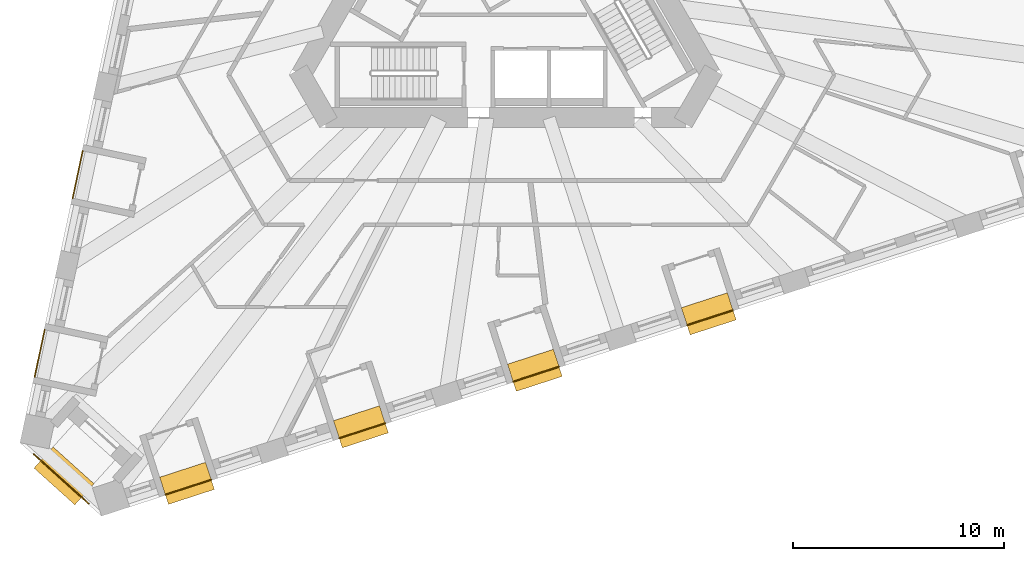
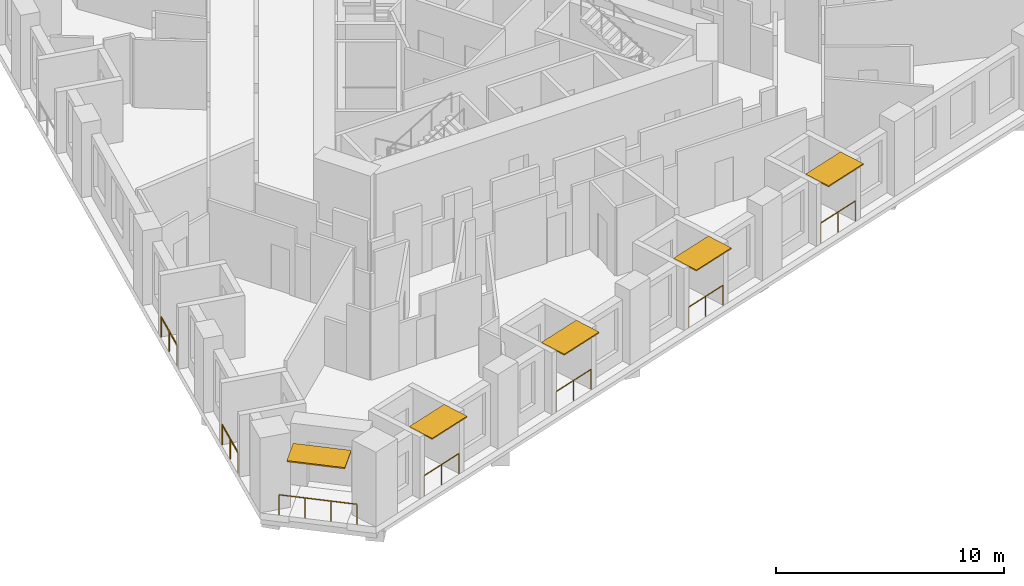
# One storey, part 11 of 13: 7 railings, 5 shading devices.
"""IFC4 building model written with IfcOpenShell, lengths in metres."""

from ifc_helpers import new_model, si_unit, direction, frame, origin, origin_2d, place, context, subcontext, project, spatial, rectangle, circle, extrude, material, layer, layer_set, type_object, element, save


model = new_model("IFC4")

# Units and contexts
model_context = context("Model", 3, precision=1e-05, world=origin(), true_north=direction((0.0, 1.0)))
body_context = subcontext(model_context, "Body", "Model", "MODEL_VIEW")
ifc_project = project(units=[si_unit("LENGTHUNIT", "METRE"), si_unit("AREAUNIT", "SQUARE_METRE"), si_unit("VOLUMEUNIT", "CUBIC_METRE"), si_unit("PLANEANGLEUNIT", "RADIAN"), si_unit("MASSUNIT", "GRAM", prefix="KILO")], contexts=[model_context])

# Site, building, storey
site_placement = place(None, origin())
site = spatial("IfcSite", under=ifc_project, at=site_placement, CompositionType="ELEMENT")
building_placement = place(site_placement, origin())
building = spatial("IfcBuilding", under=site, at=building_placement, Name="Tramontana Tower", CompositionType="ELEMENT")
storey_placement = place(building_placement, frame((0.0, 0.0, 108.39990234375)))
storey = spatial("IfcBuildingStorey", under=building, at=storey_placement, Name="L24", CompositionType="ELEMENT", Elevation=108.39990234375)

# Railings
ifc_material_1 = material(Name="Laminated glass balustrade", Category="glass")
railing_type = type_object("IfcRailingType", Name="GD1 Loggia glass balustrade 1100", PredefinedType="BALUSTRADE", material=ifc_material_1)
railing_1_placement = place(storey_placement, frame((-20.04052734375, -7.85205078125, 0.0)))
element("IfcRailing", 1, at=railing_1_placement, inside=storey, type_object=railing_type, Name="Loggia balustrade L24 G2S0.13", PredefinedType="BALUSTRADE", context=body_context, shape_type="SweptSolid", body=[
    extrude(circle(Radius=0.02392578125, at=origin_2d()), frame((0.0, 0.0, 1.076171875), z_axis=(-0.207888126836, -0.978152609116, 0.0), x_axis=(0.978152609116, -0.207888126836, 0.0)), (0.0, 0.0, 1.0), 2.28662109375),
    extrude(circle(Radius=0.02099609375, at=origin_2d()), origin(), (0.0, 0.0, 1.0), 1.052001953125),
    extrude(circle(Radius=0.02099609375, at=origin_2d()), frame((-0.23779296875, -1.1181640625, 0.0)), (0.0, 0.0, 1.0), 1.052001953125),
    extrude(circle(Radius=0.02099609375, at=origin_2d()), frame((-0.475341796875, -2.236572265625, 0.0)), (0.0, 0.0, 1.0), 1.052001953125),
])
railing_2_placement = place(storey_placement, frame((-21.841064453125, -16.322998046875, 0.0)))
element("IfcRailing", 2, at=railing_2_placement, inside=storey, type_object=railing_type, Name="Loggia balustrade L24 G2S0.16", PredefinedType="BALUSTRADE", context=body_context, shape_type="SweptSolid", body=[
    extrude(circle(Radius=0.02392578125, at=origin_2d()), frame((0.0, 0.0, 1.076171875), z_axis=(-0.207866417042, -0.978157222877, 0.0), x_axis=(0.978157222877, -0.207866417042, 0.0)), (0.0, 0.0, 1.0), 2.286865234375),
    extrude(circle(Radius=0.02099609375, at=origin_2d()), origin(), (0.0, 0.0, 1.0), 1.052001953125),
    extrude(circle(Radius=0.02099609375, at=origin_2d()), frame((-0.23779296875, -1.118408203125, 0.0)), (0.0, 0.0, 1.0), 1.052001953125),
    extrude(circle(Radius=0.02099609375, at=origin_2d()), frame((-0.475341796875, -2.23681640625, 0.0)), (0.0, 0.0, 1.0), 1.052001953125),
])
railing_3_placement = place(storey_placement, frame((-16.125244140625, -24.13427734375, 0.0)))
element("IfcRailing", 3, at=railing_3_placement, inside=storey, type_object=railing_type, Name="Loggia balustrade L24 G2S1.1", PredefinedType="BALUSTRADE", context=body_context, shape_type="SweptSolid", body=[
    extrude(circle(Radius=0.02392578125, at=origin_2d()), frame((0.0, 0.0, 1.076171875), z_axis=(0.95103720697, 0.309076416051, 0.0), x_axis=(-0.309076416051, 0.95103720697, 0.0)), (0.0, 0.0, 1.0), 2.286865234375),
    extrude(circle(Radius=0.02099609375, at=origin_2d()), origin(), (0.0, 0.0, 1.0), 1.052001953125),
    extrude(circle(Radius=0.02099609375, at=origin_2d()), frame((1.08740234375, 0.353515625, 0.0)), (0.0, 0.0, 1.0), 1.052001953125),
    extrude(circle(Radius=0.02099609375, at=origin_2d()), frame((2.1748046875, 0.706787109375, 0.0)), (0.0, 0.0, 1.0), 1.052001953125),
])
railing_4_placement = place(storey_placement, frame((-7.888916015625, -21.4580078125, 0.0)))
element("IfcRailing", 4, at=railing_4_placement, inside=storey, type_object=railing_type, Name="Loggia balustrade L24 G2S1.4", PredefinedType="BALUSTRADE", context=body_context, shape_type="SweptSolid", body=[
    extrude(circle(Radius=0.02392578125, at=origin_2d()), frame((0.0, 0.0, 1.076171875), z_axis=(0.951068585107, 0.308979847923, 0.0), x_axis=(-0.308979847923, 0.951068585107, 0.0)), (0.0, 0.0, 1.0), 2.28662109375),
    extrude(circle(Radius=0.02099609375, at=origin_2d()), origin(), (0.0, 0.0, 1.0), 1.052001953125),
    extrude(circle(Radius=0.02099609375, at=origin_2d()), frame((1.08740234375, 0.353271484375, 0.0)), (0.0, 0.0, 1.0), 1.052001953125),
    extrude(circle(Radius=0.02099609375, at=origin_2d()), frame((2.1748046875, 0.70654296875, 0.0)), (0.0, 0.0, 1.0), 1.052001953125),
])
railing_5_placement = place(storey_placement, frame((0.347412109375, -18.781982421875, 0.0)))
element("IfcRailing", 5, at=railing_5_placement, inside=storey, type_object=railing_type, Name="Loggia balustrade L24 G2S1.7", PredefinedType="BALUSTRADE", context=body_context, shape_type="SweptSolid", body=[
    extrude(circle(Radius=0.02392578125, at=origin_2d()), frame((0.0, 0.0, 1.076171875), z_axis=(0.95103720697, 0.309076416051, 0.0), x_axis=(-0.309076416051, 0.95103720697, 0.0)), (0.0, 0.0, 1.0), 2.286865234375),
    extrude(circle(Radius=0.02099609375, at=origin_2d()), origin(), (0.0, 0.0, 1.0), 1.052001953125),
    extrude(circle(Radius=0.02099609375, at=origin_2d()), frame((1.08740234375, 0.353515625, 0.0)), (0.0, 0.0, 1.0), 1.052001953125),
    extrude(circle(Radius=0.02099609375, at=origin_2d()), frame((2.1748046875, 0.706787109375, 0.0)), (0.0, 0.0, 1.0), 1.052001953125),
])
railing_6_placement = place(storey_placement, frame((8.583740234375, -16.105712890625, 0.0)))
element("IfcRailing", 6, at=railing_6_placement, inside=storey, type_object=railing_type, Name="Loggia balustrade L24 G2S1.10", PredefinedType="BALUSTRADE", context=body_context, shape_type="SweptSolid", body=[
    extrude(circle(Radius=0.02392578125, at=origin_2d()), frame((0.0, 0.0, 1.076171875), z_axis=(0.951068585107, 0.308979847923, 0.0), x_axis=(-0.308979847923, 0.951068585107, 0.0)), (0.0, 0.0, 1.0), 2.28662109375),
    extrude(circle(Radius=0.02099609375, at=origin_2d()), origin(), (0.0, 0.0, 1.0), 1.052001953125),
    extrude(circle(Radius=0.02099609375, at=origin_2d()), frame((1.08740234375, 0.353271484375, 0.0)), (0.0, 0.0, 1.0), 1.052001953125),
    extrude(circle(Radius=0.02099609375, at=origin_2d()), frame((2.1748046875, 0.70654296875, 0.0)), (0.0, 0.0, 1.0), 1.052001953125),
])
railing_7_placement = place(storey_placement, frame((-19.757080078125, -24.557861328125, 0.0)))
element("IfcRailing", 7, at=railing_7_placement, inside=storey, type_object=railing_type, Name="Corner loggia balustrade L24 K21", PredefinedType="BALUSTRADE", context=body_context, shape_type="SweptSolid", body=[
    extrude(circle(Radius=0.02392578125, at=origin_2d()), frame((0.0, 0.0, 1.076171875), z_axis=(-0.743141519559, 0.669134277936, 0.0), x_axis=(-0.669134277936, -0.743141519559, 0.0)), (0.0, 0.0, 1.0), 3.5),
    extrude(circle(Radius=0.02099609375, at=origin_2d()), origin(), (0.0, 0.0, 1.0), 1.052001953125),
    extrude(circle(Radius=0.02099609375, at=origin_2d()), frame((-0.866943359375, 0.78076171875, 0.0)), (0.0, 0.0, 1.0), 1.052001953125),
    extrude(circle(Radius=0.02099609375, at=origin_2d()), frame((-1.734130859375, 1.561279296875, 0.0)), (0.0, 0.0, 1.0), 1.052001953125),
    extrude(circle(Radius=0.02099609375, at=origin_2d()), frame((-2.60107421875, 2.342041015625, 0.0)), (0.0, 0.0, 1.0), 1.052001953125),
])

# Shading devices
ifc_material_2 = material(Name="Precast concrete 60 MPa", Category="concrete")
ifc_layer_1 = layer(ifc_material_2, 0.06005859375)
ifc_layer_set_1 = layer_set([ifc_layer_1], Name="SS1 Stone sunshade blade 60")
shading_device_type_1 = type_object("IfcShadingDeviceType", Name="SS1 Stone sunshade blade 60", PredefinedType="USERDEFINED", material=ifc_layer_set_1)
for number, where, z_axis, x_axis, name in (
    (8, (-15.09814453125, -23.595458984375, 3.239990234375), (0.0, 0.0, 1.0), (0.951056516295, 0.309016994375, 0.0), "Sunshade L24 G2S1.1"),
    (9, (-6.86181640625, -20.919189453125, 3.239990234375), (0.0, 0.0, 1.0), (0.951056516295, 0.309016994375, 0.0), "Sunshade L24 G2S1.4"),
    (10, (1.37451171875, -18.2431640625, 3.239990234375), (0.0, 0.0, 1.0), (0.951056516295, 0.309016994375, 0.0), "Sunshade L24 G2S1.7"),
    (11, (9.611083984375, -15.56689453125, 3.239990234375), (0.0, 0.0, 1.0), (0.951056516295, 0.309016994375, 0.0), "Sunshade L24 G2S1.10"),
):
    element("IfcShadingDevice", number, at=place(storey_placement, frame(where, z_axis=z_axis, x_axis=x_axis)), inside=storey, type_object=shading_device_type_1, Name=name, ObjectType="SUNSHADE", PredefinedType="USERDEFINED", context=body_context, shape_type="SweptSolid", body=[
        extrude(rectangle(XDim=2.286865234375, YDim=1.35009765625, at=origin_2d()), origin(), (0.0, 0.0, 1.0), 0.06005859375),
    ])
ifc_material_3 = material(Name="Precast concrete 60 MPa", Category="concrete")
ifc_layer_2 = layer(ifc_material_3, 0.070068359375)
ifc_layer_set_2 = layer_set([ifc_layer_2], Name="SS2 Stone sunshade blade 70")
shading_device_type_2 = type_object("IfcShadingDeviceType", Name="SS2 Stone sunshade blade 70", PredefinedType="USERDEFINED", material=ifc_layer_set_2)
shading_device_placement = place(storey_placement, frame((-20.927001953125, -23.241943359375, 3.22998046875), z_axis=(0.0, 0.0, 1.0), x_axis=(-0.743144825477, 0.669130606359, 0.0)))
element("IfcShadingDevice", 12, at=shading_device_placement, inside=storey, type_object=shading_device_type_2, Name="Corner sunshade L24 K21", ObjectType="SUNSHADE", PredefinedType="USERDEFINED", context=body_context, shape_type="SweptSolid", body=[
    extrude(rectangle(XDim=2.60009765625, YDim=1.35009765625, at=origin_2d()), origin(), (0.0, 0.0, 1.0), 0.070068359375),
])

save(model, "model.ifc")
